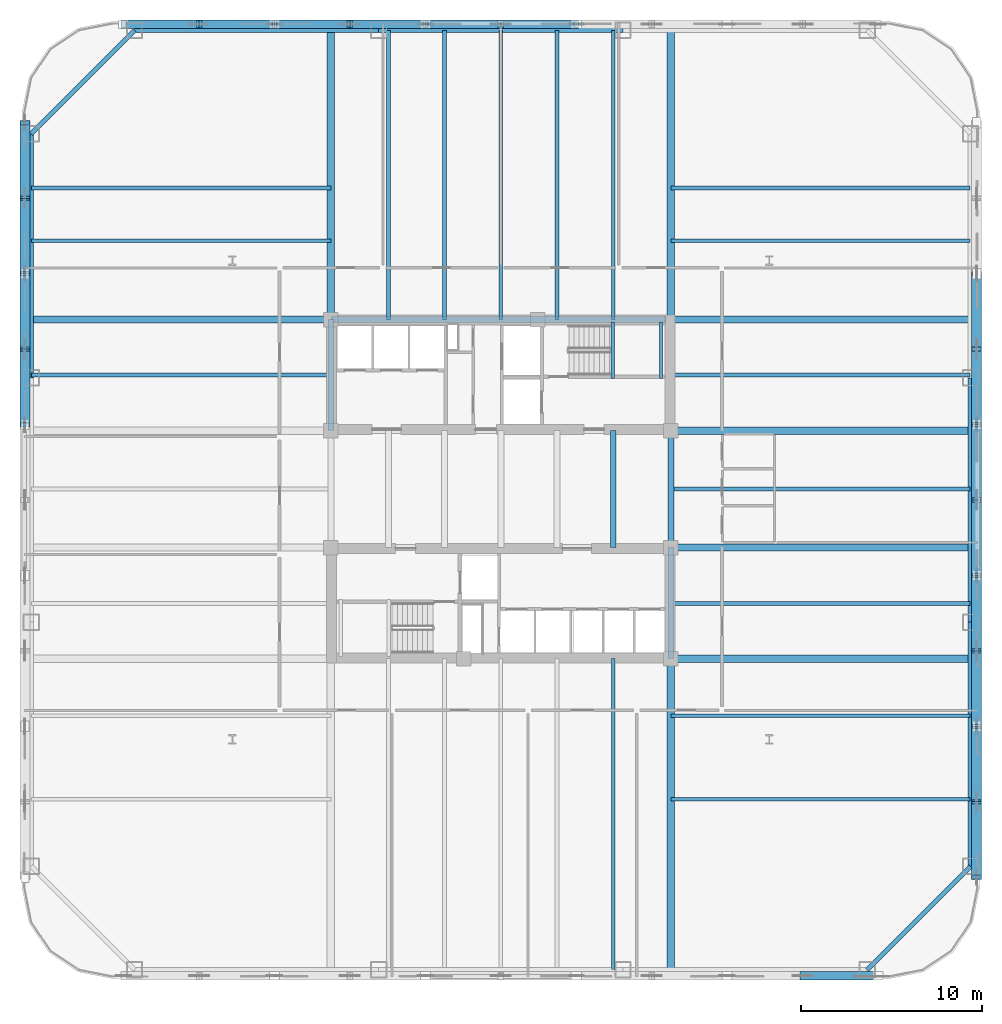
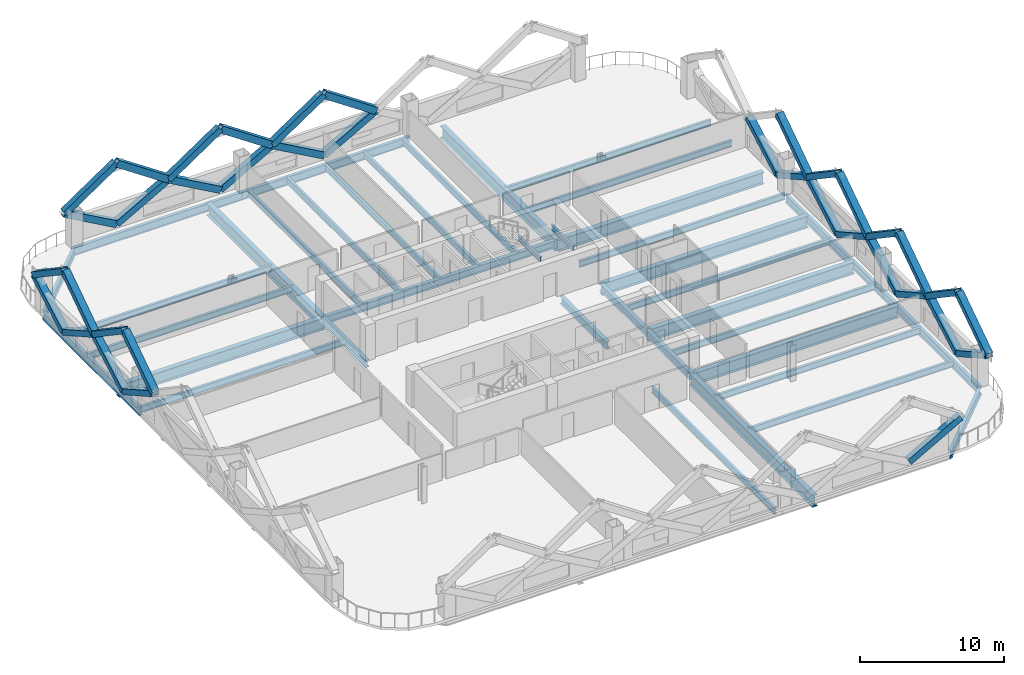
# One storey, part 2 of 13: 38 beams, 36 members.
"""IFC4 building model written with IfcOpenShell, lengths in metres."""

from ifc_helpers import new_model, si_unit, direction, frame, origin, origin_2d, place, context, subcontext, project, spatial, hollow_rectangle, i_section, extrude, material, material_profile, profile_set, type_object, element, save


model = new_model("IFC4")

# Units and contexts
model_context = context("Model", 3, precision=1e-05, world=origin(), true_north=direction((0.0, 1.0)))
body_context = subcontext(model_context, "Body", "Model", "MODEL_VIEW")
ifc_project = project(units=[si_unit("LENGTHUNIT", "METRE"), si_unit("AREAUNIT", "SQUARE_METRE"), si_unit("VOLUMEUNIT", "CUBIC_METRE"), si_unit("PLANEANGLEUNIT", "RADIAN"), si_unit("MASSUNIT", "GRAM", prefix="KILO")], contexts=[model_context])

# Site, building, storey
site_placement = place(None, origin())
site = spatial("IfcSite", under=ifc_project, at=site_placement, CompositionType="ELEMENT")
building_placement = place(site_placement, origin())
building = spatial("IfcBuilding", under=site, at=building_placement, Name="Qhalaya Broadcast Tower", CompositionType="ELEMENT")
storey_placement = place(building_placement, frame((0.0, 0.0, 44.39990234375)))
storey = spatial("IfcBuildingStorey", under=building, at=storey_placement, Name="L12", CompositionType="ELEMENT", Elevation=44.39990234375)

# Beams
ifc_material_1 = material(Name="Structural Steel ASTM A992 Grade 50", Category="steel")
ifc_material_profile_1 = material_profile(ifc_material_1, i_section(OverallWidth=0.2099609375, OverallDepth=0.535888671875, WebThickness=0.010986328125, FlangeThickness=0.017333984375, at=origin_2d()), Name="W21X68")
ifc_profile_set_1 = profile_set([ifc_material_profile_1], Name="Structural Steel ASTM A992 Grade 50")
beam_type_1 = type_object("IfcBeamType", Name="Composite Floor Joist J02", PredefinedType="JOIST", material=ifc_profile_set_1)
for number, where, z_axis, x_axis, name in (
    (1, (-6.199951171875, 9.949951171875, -0.48779296875), (0.0, 1.0, 0.0), (-1.0, 0.0, 0.0), "L12 J02 L12-JNN1-1"),
    (2, (-3.10009765625, 9.949951171875, -0.48779296875), (0.0, 1.0, 0.0), (-1.0, 0.0, 0.0), "L12 J02 L12-JNN2-1"),
    (3, (0.0, 9.949951171875, -0.48779296875), (0.0, 1.0, 0.0), (-1.0, 0.0, 0.0), "L12 J02 L12-JNN3-1"),
    (4, (3.10009765625, 9.949951171875, -0.48779296875), (0.0, 1.0, 0.0), (-1.0, 0.0, 0.0), "L12 J02 L12-JNN4-1"),
):
    element("IfcBeam", number, at=place(storey_placement, frame(where, z_axis=z_axis, x_axis=x_axis)), inside=storey, type_object=beam_type_1, Name=name, PredefinedType="JOIST", context=body_context, shape_type="SweptSolid", body=[
        extrude(i_section(OverallWidth=0.2099609375, OverallDepth=0.535888671875, WebThickness=0.010986328125, FlangeThickness=0.017333984375, at=origin_2d()), origin(), (0.0, 0.0, 1.0), 15.929931640625),
    ])
beam_1_placement = place(storey_placement, frame((6.199951171875, -25.8798828125, -0.48779296875), z_axis=(0.0, 1.0, 0.0), x_axis=(-1.0, 0.0, 0.0)))
element("IfcBeam", 5, at=beam_1_placement, inside=storey, type_object=beam_type_1, Name="L12 J02 L12-JNS5-1", PredefinedType="JOIST", context=body_context, shape_type="SweptSolid", body=[
    extrude(i_section(OverallWidth=0.2099609375, OverallDepth=0.535888671875, WebThickness=0.010986328125, FlangeThickness=0.017333984375, at=origin_2d()), origin(), (0.0, 0.0, 1.0), 17.1298828125),
])
beam_2_placement = place(storey_placement, frame((6.199951171875, 9.949951171875, -0.48779296875), z_axis=(0.0, 1.0, 0.0), x_axis=(-1.0, 0.0, 0.0)))
element("IfcBeam", 6, at=beam_2_placement, inside=storey, type_object=beam_type_1, Name="L12 J02 L12-JNN5-1", PredefinedType="JOIST", context=body_context, shape_type="SweptSolid", body=[
    extrude(i_section(OverallWidth=0.2099609375, OverallDepth=0.535888671875, WebThickness=0.010986328125, FlangeThickness=0.017333984375, at=origin_2d()), origin(), (0.0, 0.0, 1.0), 15.929931640625),
])
for number, where, z_axis, x_axis, name in (
    (7, (9.375, -16.5, -0.48779296875), (1.0, 0.0, 0.0), (0.0, 1.0, 0.0), "L12 J02 L12-JWE1E-1"),
    (8, (9.375, -11.89990234375, -0.48779296875), (1.0, 0.0, 0.0), (0.0, 1.0, 0.0), "L12 J02 L12-JWE2E-1"),
    (9, (9.375, -5.699951171875, -0.48779296875), (1.0, 0.0, 0.0), (0.0, 1.0, 0.0), "L12 J02 L12-JWE3E-1"),
    (10, (9.375, 0.60009765625, -0.48779296875), (1.0, 0.0, 0.0), (0.0, 1.0, 0.0), "L12 J02 L12-JWE4E-1"),
    (11, (-25.8798828125, 6.89990234375, -0.48779296875), (1.0, 0.0, 0.0), (0.0, 1.0, 0.0), "L12 J02 L12-JWE5W-1"),
    (12, (9.375, 6.89990234375, -0.48779296875), (1.0, 0.0, 0.0), (0.0, 1.0, 0.0), "L12 J02 L12-JWE5E-1"),
    (13, (-25.8798828125, 14.300048828125, -0.48779296875), (1.0, 0.0, 0.0), (0.0, 1.0, 0.0), "L12 J02 L12-JWE6W-1"),
    (14, (9.375, 14.300048828125, -0.48779296875), (1.0, 0.0, 0.0), (0.0, 1.0, 0.0), "L12 J02 L12-JWE6E-1"),
    (15, (-25.8798828125, 17.199951171875, -0.48779296875), (1.0, 0.0, 0.0), (0.0, 1.0, 0.0), "L12 J02 L12-JWE7W-1"),
    (16, (9.375, 17.199951171875, -0.48779296875), (1.0, 0.0, 0.0), (0.0, 1.0, 0.0), "L12 J02 L12-JWE7E-1"),
):
    element("IfcBeam", number, at=place(storey_placement, frame(where, z_axis=z_axis, x_axis=x_axis)), inside=storey, type_object=beam_type_1, Name=name, PredefinedType="JOIST", context=body_context, shape_type="SweptSolid", body=[
        extrude(i_section(OverallWidth=0.2099609375, OverallDepth=0.535888671875, WebThickness=0.010986328125, FlangeThickness=0.017333984375, at=origin_2d()), origin(), (0.0, 0.0, 1.0), 16.5048828125),
    ])
ifc_material_profile_2 = material_profile(ifc_material_1, i_section(OverallWidth=0.323974609375, OverallDepth=0.612060546875, WebThickness=0.0126953125, FlangeThickness=0.01904296875, at=origin_2d()), Name="W24X104")
ifc_profile_set_2 = profile_set([ifc_material_profile_2], Name="Structural Steel ASTM A992 Grade 50")
beam_type_2 = type_object("IfcBeamType", Name="Core Frame Tie Beam B04", PredefinedType="BEAM", material=ifc_profile_set_2)
beam_3_placement = place(storey_placement, frame((-9.375, 3.824951171875, -0.52587890625), z_axis=(0.0, 1.0, 0.0), x_axis=(-1.0, 0.0, 0.0)))
element("IfcBeam", 17, at=beam_3_placement, inside=storey, type_object=beam_type_2, Name="L12 B04 L12-CCN2", PredefinedType="BEAM", context=body_context, shape_type="SweptSolid", body=[
    extrude(i_section(OverallWidth=0.323974609375, OverallDepth=0.612060546875, WebThickness=0.0126953125, FlangeThickness=0.01904296875, at=origin_2d()), origin(), (0.0, 0.0, 1.0), 6.125),
])
beam_4_placement = place(storey_placement, frame((-9.375, 9.949951171875, -0.52587890625), z_axis=(1.0, 0.0, 0.0), x_axis=(0.0, 1.0, 0.0)))
element("IfcBeam", 18, at=beam_4_placement, inside=storey, type_object=beam_type_2, Name="L12 B04 L12-CCN3", PredefinedType="BEAM", context=body_context, shape_type="SweptSolid", body=[
    extrude(i_section(OverallWidth=0.323974609375, OverallDepth=0.612060546875, WebThickness=0.0126953125, FlangeThickness=0.01904296875, at=origin_2d()), origin(), (0.0, 0.0, 1.0), 18.4951171875),
])
beam_5_placement = place(storey_placement, frame((9.375, -8.75, -0.52587890625), z_axis=(0.0, 1.0, 0.0), x_axis=(-1.0, 0.0, 0.0)))
element("IfcBeam", 19, at=beam_5_placement, inside=storey, type_object=beam_type_2, Name="L12 B04 L12-CCS2", PredefinedType="BEAM", context=body_context, shape_type="SweptSolid", body=[
    extrude(i_section(OverallWidth=0.323974609375, OverallDepth=0.612060546875, WebThickness=0.0126953125, FlangeThickness=0.01904296875, at=origin_2d()), origin(), (0.0, 0.0, 1.0), 6.125),
])
for number, where, z_axis, x_axis, name in (
    (20, (9.375, -2.625, -0.52587890625), (0.0, 1.0, 0.0), (-1.0, 0.0, 0.0), "L12 B04 L12-CCE"),
    (21, (6.199951171875, -2.625, -0.52587890625), (0.0, 1.0, 0.0), (-1.0, 0.0, 0.0), "L12 B04 L12-JC5-1"),
):
    element("IfcBeam", number, at=place(storey_placement, frame(where, z_axis=z_axis, x_axis=x_axis)), inside=storey, type_object=beam_type_2, Name=name, PredefinedType="BEAM", context=body_context, shape_type="SweptSolid", body=[
        extrude(i_section(OverallWidth=0.323974609375, OverallDepth=0.612060546875, WebThickness=0.0126953125, FlangeThickness=0.01904296875, at=origin_2d()), origin(), (0.0, 0.0, 1.0), 6.449951171875),
    ])

# Members
ifc_material_2 = material(Name="Structural Steel ASTM A572 Grade 50", Category="steel")
ifc_material_profile_3 = material_profile(ifc_material_2, hollow_rectangle(XDim=0.449951171875, YDim=0.550048828125, WallThickness=0.031982421875, at=origin_2d()), Name="BOX 450x550x32")
ifc_profile_set_3 = profile_set([ifc_material_profile_3], Name="Structural Steel ASTM A572 Grade 50")
member_type = type_object("IfcMemberType", Name="Exoskeleton Diamond Diagonal Lower EX1", PredefinedType="BRACE", material=ifc_profile_set_3)
for number, where, z_axis, x_axis, name in (
    (22, (16.639892578125, -26.239990234375, 0.360107421875), (0.872471089532, 0.0, 0.488665732306), (0.0, 1.0, 0.0), "B1 Exoskeleton Diamond Brace S5-D2"),
    (23, (26.239990234375, -16.639892578125, 0.360107421875), (0.0, -0.872471089532, 0.488665732306), (0.0, 0.488665732306, 0.872471089532), "B1 Exoskeleton Diamond Brace E1-D1"),
):
    element("IfcMember", number, at=place(storey_placement, frame(where, z_axis=z_axis, x_axis=x_axis)), inside=storey, type_object=member_type, Name=name, PredefinedType="BRACE", context=body_context, shape_type="SweptSolid", body=[
        extrude(hollow_rectangle(XDim=0.449951171875, YDim=0.550048828125, WallThickness=0.031982421875, at=origin_2d()), origin(), (0.0, 0.0, 1.0), 4.768310546875),
    ])
member_1_placement = place(storey_placement, frame((26.239990234375, -16.639892578125, 0.360107421875), z_axis=(0.0, 0.872458862126, 0.488687562658), x_axis=(0.0, -0.488687562658, 0.872458862126)))
element("IfcMember", 24, at=member_1_placement, inside=storey, type_object=member_type, Name="B1 Exoskeleton Diamond Brace E1-D2", PredefinedType="BRACE", context=body_context, shape_type="SweptSolid", body=[
    extrude(hollow_rectangle(XDim=0.449951171875, YDim=0.550048828125, WallThickness=0.031982421875, at=origin_2d()), origin(), (0.0, 0.0, 1.0), 4.76806640625),
])
member_2_placement = place(storey_placement, frame((26.239990234375, -20.800048828125, 2.690185546875), z_axis=(0.0, 0.828690779946, 0.559706701079), x_axis=(0.0, -0.559706701079, 0.828690779946)))
element("IfcMember", 25, at=member_2_placement, inside=storey, type_object=member_type, Name="B1 Exoskeleton Diamond Brace E1-D3", PredefinedType="BRACE", context=body_context, shape_type="SweptSolid", body=[
    extrude(hollow_rectangle(XDim=0.449951171875, YDim=0.550048828125, WallThickness=0.031982421875, at=origin_2d()), origin(), (0.0, 0.0, 1.0), 5.020263671875),
])
member_3_placement = place(storey_placement, frame((26.239990234375, -12.47998046875, 2.690185546875), z_axis=(0.0, -0.828675543973, 0.5597292585), x_axis=(0.0, 0.5597292585, 0.828675543973)))
element("IfcMember", 26, at=member_3_placement, inside=storey, type_object=member_type, Name="B1 Exoskeleton Diamond Brace E1-D4", PredefinedType="BRACE", context=body_context, shape_type="SweptSolid", body=[
    extrude(hollow_rectangle(XDim=0.449951171875, YDim=0.550048828125, WallThickness=0.031982421875, at=origin_2d()), origin(), (0.0, 0.0, 1.0), 5.02001953125),
])
member_4_placement = place(storey_placement, frame((26.239990234375, -8.320068359375, 0.360107421875), z_axis=(0.0, -0.872458862126, 0.488687562658), x_axis=(0.0, 0.488687562658, 0.872458862126)))
element("IfcMember", 27, at=member_4_placement, inside=storey, type_object=member_type, Name="B1 Exoskeleton Diamond Brace E2-D1", PredefinedType="BRACE", context=body_context, shape_type="SweptSolid", body=[
    extrude(hollow_rectangle(XDim=0.449951171875, YDim=0.550048828125, WallThickness=0.031982421875, at=origin_2d()), origin(), (0.0, 0.0, 1.0), 4.76806640625),
])
member_5_placement = place(storey_placement, frame((26.239990234375, -8.320068359375, 0.360107421875), z_axis=(0.0, 0.872471089532, 0.488665732306), x_axis=(0.0, -0.488665732306, 0.872471089532)))
element("IfcMember", 28, at=member_5_placement, inside=storey, type_object=member_type, Name="B1 Exoskeleton Diamond Brace E2-D2", PredefinedType="BRACE", context=body_context, shape_type="SweptSolid", body=[
    extrude(hollow_rectangle(XDim=0.449951171875, YDim=0.550048828125, WallThickness=0.031982421875, at=origin_2d()), origin(), (0.0, 0.0, 1.0), 4.768310546875),
])
member_6_placement = place(storey_placement, frame((26.239990234375, -12.47998046875, 2.690185546875), z_axis=(0.0, 0.828675543973, 0.5597292585), x_axis=(0.0, -0.5597292585, 0.828675543973)))
element("IfcMember", 29, at=member_6_placement, inside=storey, type_object=member_type, Name="B1 Exoskeleton Diamond Brace E2-D3", PredefinedType="BRACE", context=body_context, shape_type="SweptSolid", body=[
    extrude(hollow_rectangle(XDim=0.449951171875, YDim=0.550048828125, WallThickness=0.031982421875, at=origin_2d()), origin(), (0.0, 0.0, 1.0), 5.02001953125),
])
member_7_placement = place(storey_placement, frame((26.239990234375, -4.159912109375, 2.690185546875), z_axis=(0.0, -0.828690779946, 0.559706701079), x_axis=(0.0, 0.559706701079, 0.828690779946)))
element("IfcMember", 30, at=member_7_placement, inside=storey, type_object=member_type, Name="B1 Exoskeleton Diamond Brace E2-D4", PredefinedType="BRACE", context=body_context, shape_type="SweptSolid", body=[
    extrude(hollow_rectangle(XDim=0.449951171875, YDim=0.550048828125, WallThickness=0.031982421875, at=origin_2d()), origin(), (0.0, 0.0, 1.0), 5.020263671875),
])
for number, where, z_axis, x_axis, name in (
    (31, (26.239990234375, 0.0, 0.360107421875), (0.0, -0.872458862126, 0.488687562658), (0.0, 0.488687562658, 0.872458862126), "B1 Exoskeleton Diamond Brace E3-D1"),
    (32, (26.239990234375, 0.0, 0.360107421875), (0.0, 0.872458862126, 0.488687562658), (0.0, -0.488687562658, 0.872458862126), "B1 Exoskeleton Diamond Brace E3-D2"),
):
    element("IfcMember", number, at=place(storey_placement, frame(where, z_axis=z_axis, x_axis=x_axis)), inside=storey, type_object=member_type, Name=name, PredefinedType="BRACE", context=body_context, shape_type="SweptSolid", body=[
        extrude(hollow_rectangle(XDim=0.449951171875, YDim=0.550048828125, WallThickness=0.031982421875, at=origin_2d()), origin(), (0.0, 0.0, 1.0), 4.76806640625),
    ])
for number, where, z_axis, x_axis, name in (
    (33, (26.239990234375, -4.159912109375, 2.690185546875), (0.0, 0.828675543973, 0.5597292585), (0.0, -0.5597292585, 0.828675543973), "B1 Exoskeleton Diamond Brace E3-D3"),
    (34, (26.239990234375, 4.159912109375, 2.690185546875), (0.0, -0.828675543973, 0.5597292585), (0.0, 0.5597292585, 0.828675543973), "B1 Exoskeleton Diamond Brace E3-D4"),
):
    element("IfcMember", number, at=place(storey_placement, frame(where, z_axis=z_axis, x_axis=x_axis)), inside=storey, type_object=member_type, Name=name, PredefinedType="BRACE", context=body_context, shape_type="SweptSolid", body=[
        extrude(hollow_rectangle(XDim=0.449951171875, YDim=0.550048828125, WallThickness=0.031982421875, at=origin_2d()), origin(), (0.0, 0.0, 1.0), 5.02001953125),
    ])
member_8_placement = place(storey_placement, frame((26.239990234375, 8.320068359375, 0.360107421875), z_axis=(0.0, -0.872471089532, 0.488665732306), x_axis=(0.0, 0.488665732306, 0.872471089532)))
element("IfcMember", 35, at=member_8_placement, inside=storey, type_object=member_type, Name="B1 Exoskeleton Diamond Brace E4-D1", PredefinedType="BRACE", context=body_context, shape_type="SweptSolid", body=[
    extrude(hollow_rectangle(XDim=0.449951171875, YDim=0.550048828125, WallThickness=0.031982421875, at=origin_2d()), origin(), (0.0, 0.0, 1.0), 4.768310546875),
])
member_9_placement = place(storey_placement, frame((26.239990234375, 8.320068359375, 0.360107421875), z_axis=(0.0, 0.872458862126, 0.488687562658), x_axis=(0.0, -0.488687562658, 0.872458862126)))
element("IfcMember", 36, at=member_9_placement, inside=storey, type_object=member_type, Name="B1 Exoskeleton Diamond Brace E4-D2", PredefinedType="BRACE", context=body_context, shape_type="SweptSolid", body=[
    extrude(hollow_rectangle(XDim=0.449951171875, YDim=0.550048828125, WallThickness=0.031982421875, at=origin_2d()), origin(), (0.0, 0.0, 1.0), 4.76806640625),
])
member_10_placement = place(storey_placement, frame((26.239990234375, 4.159912109375, 2.690185546875), z_axis=(0.0, 0.828690779946, 0.559706701079), x_axis=(0.0, -0.559706701079, 0.828690779946)))
element("IfcMember", 37, at=member_10_placement, inside=storey, type_object=member_type, Name="B1 Exoskeleton Diamond Brace E4-D3", PredefinedType="BRACE", context=body_context, shape_type="SweptSolid", body=[
    extrude(hollow_rectangle(XDim=0.449951171875, YDim=0.550048828125, WallThickness=0.031982421875, at=origin_2d()), origin(), (0.0, 0.0, 1.0), 5.020263671875),
])
for number, where, z_axis, x_axis, name in (
    (38, (0.0, 26.239990234375, 0.360107421875), (0.872458862126, 0.0, 0.488687562658), (0.0, 1.0, 0.0), "B1 Exoskeleton Diamond Brace N3-D1"),
    (39, (0.0, 26.239990234375, 0.360107421875), (-0.872458862126, 0.0, 0.488687562658), (0.0, -1.0, 0.0), "B1 Exoskeleton Diamond Brace N3-D2"),
):
    element("IfcMember", number, at=place(storey_placement, frame(where, z_axis=z_axis, x_axis=x_axis)), inside=storey, type_object=member_type, Name=name, PredefinedType="BRACE", context=body_context, shape_type="SweptSolid", body=[
        extrude(hollow_rectangle(XDim=0.449951171875, YDim=0.550048828125, WallThickness=0.031982421875, at=origin_2d()), origin(), (0.0, 0.0, 1.0), 4.76806640625),
    ])
for number, where, z_axis, x_axis, name in (
    (40, (4.159912109375, 26.239990234375, 2.690185546875), (-0.828675543973, 0.0, 0.5597292585), (0.0, -1.0, 0.0), "B1 Exoskeleton Diamond Brace N3-D3"),
    (41, (-4.159912109375, 26.239990234375, 2.690185546875), (0.828675543973, 0.0, 0.5597292585), (0.0, 1.0, 0.0), "B1 Exoskeleton Diamond Brace N3-D4"),
):
    element("IfcMember", number, at=place(storey_placement, frame(where, z_axis=z_axis, x_axis=x_axis)), inside=storey, type_object=member_type, Name=name, PredefinedType="BRACE", context=body_context, shape_type="SweptSolid", body=[
        extrude(hollow_rectangle(XDim=0.449951171875, YDim=0.550048828125, WallThickness=0.031982421875, at=origin_2d()), origin(), (0.0, 0.0, 1.0), 5.02001953125),
    ])
member_11_placement = place(storey_placement, frame((-8.320068359375, 26.239990234375, 0.360107421875), z_axis=(0.872471089532, 0.0, 0.488665732306), x_axis=(0.0, 1.0, 0.0)))
element("IfcMember", 42, at=member_11_placement, inside=storey, type_object=member_type, Name="B1 Exoskeleton Diamond Brace N4-D1", PredefinedType="BRACE", context=body_context, shape_type="SweptSolid", body=[
    extrude(hollow_rectangle(XDim=0.449951171875, YDim=0.550048828125, WallThickness=0.031982421875, at=origin_2d()), origin(), (0.0, 0.0, 1.0), 4.768310546875),
])
member_12_placement = place(storey_placement, frame((-8.320068359375, 26.239990234375, 0.360107421875), z_axis=(-0.872458862126, 0.0, 0.488687562658), x_axis=(0.0, -1.0, 0.0)))
element("IfcMember", 43, at=member_12_placement, inside=storey, type_object=member_type, Name="B1 Exoskeleton Diamond Brace N4-D2", PredefinedType="BRACE", context=body_context, shape_type="SweptSolid", body=[
    extrude(hollow_rectangle(XDim=0.449951171875, YDim=0.550048828125, WallThickness=0.031982421875, at=origin_2d()), origin(), (0.0, 0.0, 1.0), 4.76806640625),
])
member_13_placement = place(storey_placement, frame((-4.159912109375, 26.239990234375, 2.690185546875), z_axis=(-0.828690779946, 0.0, 0.559706701079), x_axis=(0.0, -1.0, 0.0)))
element("IfcMember", 44, at=member_13_placement, inside=storey, type_object=member_type, Name="B1 Exoskeleton Diamond Brace N4-D3", PredefinedType="BRACE", context=body_context, shape_type="SweptSolid", body=[
    extrude(hollow_rectangle(XDim=0.449951171875, YDim=0.550048828125, WallThickness=0.031982421875, at=origin_2d()), origin(), (0.0, 0.0, 1.0), 5.020263671875),
])
member_14_placement = place(storey_placement, frame((-12.47998046875, 26.239990234375, 2.690185546875), z_axis=(0.828675543973, 0.0, 0.5597292585), x_axis=(0.0, 1.0, 0.0)))
element("IfcMember", 45, at=member_14_placement, inside=storey, type_object=member_type, Name="B1 Exoskeleton Diamond Brace N4-D4", PredefinedType="BRACE", context=body_context, shape_type="SweptSolid", body=[
    extrude(hollow_rectangle(XDim=0.449951171875, YDim=0.550048828125, WallThickness=0.031982421875, at=origin_2d()), origin(), (0.0, 0.0, 1.0), 5.02001953125),
])
member_15_placement = place(storey_placement, frame((-16.639892578125, 26.239990234375, 0.360107421875), z_axis=(0.872458862126, 0.0, 0.488687562658), x_axis=(0.0, 1.0, 0.0)))
element("IfcMember", 46, at=member_15_placement, inside=storey, type_object=member_type, Name="B1 Exoskeleton Diamond Brace N5-D1", PredefinedType="BRACE", context=body_context, shape_type="SweptSolid", body=[
    extrude(hollow_rectangle(XDim=0.449951171875, YDim=0.550048828125, WallThickness=0.031982421875, at=origin_2d()), origin(), (0.0, 0.0, 1.0), 4.76806640625),
])
member_16_placement = place(storey_placement, frame((-16.639892578125, 26.239990234375, 0.360107421875), z_axis=(-0.872471089532, 0.0, 0.488665732306), x_axis=(0.0, -1.0, 0.0)))
element("IfcMember", 47, at=member_16_placement, inside=storey, type_object=member_type, Name="B1 Exoskeleton Diamond Brace N5-D2", PredefinedType="BRACE", context=body_context, shape_type="SweptSolid", body=[
    extrude(hollow_rectangle(XDim=0.449951171875, YDim=0.550048828125, WallThickness=0.031982421875, at=origin_2d()), origin(), (0.0, 0.0, 1.0), 4.768310546875),
])
member_17_placement = place(storey_placement, frame((-12.47998046875, 26.239990234375, 2.690185546875), z_axis=(-0.828675543973, 0.0, 0.5597292585), x_axis=(0.0, -1.0, 0.0)))
element("IfcMember", 48, at=member_17_placement, inside=storey, type_object=member_type, Name="B1 Exoskeleton Diamond Brace N5-D3", PredefinedType="BRACE", context=body_context, shape_type="SweptSolid", body=[
    extrude(hollow_rectangle(XDim=0.449951171875, YDim=0.550048828125, WallThickness=0.031982421875, at=origin_2d()), origin(), (0.0, 0.0, 1.0), 5.02001953125),
])
member_18_placement = place(storey_placement, frame((-20.800048828125, 26.239990234375, 2.690185546875), z_axis=(0.828690779946, 0.0, 0.559706701079), x_axis=(0.0, 1.0, 0.0)))
element("IfcMember", 49, at=member_18_placement, inside=storey, type_object=member_type, Name="B1 Exoskeleton Diamond Brace N5-D4", PredefinedType="BRACE", context=body_context, shape_type="SweptSolid", body=[
    extrude(hollow_rectangle(XDim=0.449951171875, YDim=0.550048828125, WallThickness=0.031982421875, at=origin_2d()), origin(), (0.0, 0.0, 1.0), 5.020263671875),
])
member_19_placement = place(storey_placement, frame((-26.239990234375, 16.639892578125, 0.360107421875), z_axis=(0.0, 0.872471089532, 0.488665732306), x_axis=(0.0, -0.488665732306, 0.872471089532)))
element("IfcMember", 50, at=member_19_placement, inside=storey, type_object=member_type, Name="B1 Exoskeleton Diamond Brace W1-D1", PredefinedType="BRACE", context=body_context, shape_type="SweptSolid", body=[
    extrude(hollow_rectangle(XDim=0.449951171875, YDim=0.550048828125, WallThickness=0.031982421875, at=origin_2d()), origin(), (0.0, 0.0, 1.0), 4.768310546875),
])
member_20_placement = place(storey_placement, frame((-26.239990234375, 16.639892578125, 0.360107421875), z_axis=(0.0, -0.872458862126, 0.488687562658), x_axis=(0.0, 0.488687562658, 0.872458862126)))
element("IfcMember", 51, at=member_20_placement, inside=storey, type_object=member_type, Name="B1 Exoskeleton Diamond Brace W1-D2", PredefinedType="BRACE", context=body_context, shape_type="SweptSolid", body=[
    extrude(hollow_rectangle(XDim=0.449951171875, YDim=0.550048828125, WallThickness=0.031982421875, at=origin_2d()), origin(), (0.0, 0.0, 1.0), 4.76806640625),
])
member_21_placement = place(storey_placement, frame((-26.239990234375, 20.800048828125, 2.690185546875), z_axis=(0.0, -0.828690779946, 0.559706701079), x_axis=(0.0, 0.559706701079, 0.828690779946)))
element("IfcMember", 52, at=member_21_placement, inside=storey, type_object=member_type, Name="B1 Exoskeleton Diamond Brace W1-D3", PredefinedType="BRACE", context=body_context, shape_type="SweptSolid", body=[
    extrude(hollow_rectangle(XDim=0.449951171875, YDim=0.550048828125, WallThickness=0.031982421875, at=origin_2d()), origin(), (0.0, 0.0, 1.0), 5.020263671875),
])
member_22_placement = place(storey_placement, frame((-26.239990234375, 12.47998046875, 2.690185546875), z_axis=(0.0, 0.828675543973, 0.5597292585), x_axis=(0.0, -0.5597292585, 0.828675543973)))
element("IfcMember", 53, at=member_22_placement, inside=storey, type_object=member_type, Name="B1 Exoskeleton Diamond Brace W1-D4", PredefinedType="BRACE", context=body_context, shape_type="SweptSolid", body=[
    extrude(hollow_rectangle(XDim=0.449951171875, YDim=0.550048828125, WallThickness=0.031982421875, at=origin_2d()), origin(), (0.0, 0.0, 1.0), 5.02001953125),
])
member_23_placement = place(storey_placement, frame((-26.239990234375, 8.320068359375, 0.360107421875), z_axis=(0.0, 0.872458862126, 0.488687562658), x_axis=(0.0, -0.488687562658, 0.872458862126)))
element("IfcMember", 54, at=member_23_placement, inside=storey, type_object=member_type, Name="B1 Exoskeleton Diamond Brace W2-D1", PredefinedType="BRACE", context=body_context, shape_type="SweptSolid", body=[
    extrude(hollow_rectangle(XDim=0.449951171875, YDim=0.550048828125, WallThickness=0.031982421875, at=origin_2d()), origin(), (0.0, 0.0, 1.0), 4.76806640625),
])
member_24_placement = place(storey_placement, frame((-26.239990234375, 8.320068359375, 0.360107421875), z_axis=(0.0, -0.872471089532, 0.488665732306), x_axis=(0.0, 0.488665732306, 0.872471089532)))
element("IfcMember", 55, at=member_24_placement, inside=storey, type_object=member_type, Name="B1 Exoskeleton Diamond Brace W2-D2", PredefinedType="BRACE", context=body_context, shape_type="SweptSolid", body=[
    extrude(hollow_rectangle(XDim=0.449951171875, YDim=0.550048828125, WallThickness=0.031982421875, at=origin_2d()), origin(), (0.0, 0.0, 1.0), 4.768310546875),
])
member_25_placement = place(storey_placement, frame((-26.239990234375, 12.47998046875, 2.690185546875), z_axis=(0.0, -0.828675543973, 0.5597292585), x_axis=(0.0, 0.5597292585, 0.828675543973)))
element("IfcMember", 56, at=member_25_placement, inside=storey, type_object=member_type, Name="B1 Exoskeleton Diamond Brace W2-D3", PredefinedType="BRACE", context=body_context, shape_type="SweptSolid", body=[
    extrude(hollow_rectangle(XDim=0.449951171875, YDim=0.550048828125, WallThickness=0.031982421875, at=origin_2d()), origin(), (0.0, 0.0, 1.0), 5.02001953125),
])
member_26_placement = place(storey_placement, frame((-26.239990234375, 4.159912109375, 2.690185546875), z_axis=(0.0, 0.828690779946, 0.559706701079), x_axis=(0.0, -0.559706701079, 0.828690779946)))
element("IfcMember", 57, at=member_26_placement, inside=storey, type_object=member_type, Name="B1 Exoskeleton Diamond Brace W2-D4", PredefinedType="BRACE", context=body_context, shape_type="SweptSolid", body=[
    extrude(hollow_rectangle(XDim=0.449951171875, YDim=0.550048828125, WallThickness=0.031982421875, at=origin_2d()), origin(), (0.0, 0.0, 1.0), 5.020263671875),
])

# Beams
ifc_material_profile_4 = material_profile(ifc_material_1, i_section(OverallWidth=0.40087890625, OverallDepth=1.010986328125, WebThickness=0.023681640625, FlangeThickness=0.0419921875, at=origin_2d()), Name="W40X297")
ifc_profile_set_4 = profile_set([ifc_material_profile_4], Name="Structural Steel ASTM A992 Grade 50")
beam_type_3 = type_object("IfcBeamType", Name="Lower Block Primary Girder PG2", PredefinedType="USERDEFINED", material=ifc_profile_set_4)
beam_6_placement = place(storey_placement, frame((-9.375, 9.949951171875, -0.725341796875), z_axis=(0.0, 1.0, 0.0), x_axis=(-1.0, 0.0, 0.0)))
element("IfcBeam", 58, at=beam_6_placement, inside=storey, type_object=beam_type_3, Name="L12 PG2 L12-PGXN1-1", ObjectType="GIRDER", PredefinedType="USERDEFINED", context=body_context, shape_type="SweptSolid", body=[
    extrude(i_section(OverallWidth=0.40087890625, OverallDepth=1.010986328125, WebThickness=0.023681640625, FlangeThickness=0.0419921875, at=origin_2d()), origin(), (0.0, 0.0, 1.0), 15.929931640625),
])
beam_7_placement = place(storey_placement, frame((9.375, -25.8798828125, -0.725341796875), z_axis=(0.0, 1.0, 0.0), x_axis=(-1.0, 0.0, 0.0)))
element("IfcBeam", 59, at=beam_7_placement, inside=storey, type_object=beam_type_3, Name="L12 PG2 L12-PGXS2-1", ObjectType="GIRDER", PredefinedType="USERDEFINED", context=body_context, shape_type="SweptSolid", body=[
    extrude(i_section(OverallWidth=0.40087890625, OverallDepth=1.010986328125, WebThickness=0.023681640625, FlangeThickness=0.0419921875, at=origin_2d()), origin(), (0.0, 0.0, 1.0), 17.1298828125),
])
beam_8_placement = place(storey_placement, frame((9.375, 9.949951171875, -0.725341796875), z_axis=(0.0, 1.0, 0.0), x_axis=(-1.0, 0.0, 0.0)))
element("IfcBeam", 60, at=beam_8_placement, inside=storey, type_object=beam_type_3, Name="L12 PG2 L12-PGXN2-1", ObjectType="GIRDER", PredefinedType="USERDEFINED", context=body_context, shape_type="SweptSolid", body=[
    extrude(i_section(OverallWidth=0.40087890625, OverallDepth=1.010986328125, WebThickness=0.023681640625, FlangeThickness=0.0419921875, at=origin_2d()), origin(), (0.0, 0.0, 1.0), 15.929931640625),
])
for number, where, z_axis, x_axis, name in (
    (61, (9.375, -8.75, -0.725341796875), (1.0, 0.0, 0.0), (0.0, 1.0, 0.0), "L12 PG2 L12-PGYE1-1"),
    (62, (9.375, -2.625, -0.725341796875), (1.0, 0.0, 0.0), (0.0, 1.0, 0.0), "L12 PG2 L12-PGYE2-1"),
    (63, (9.375, 3.824951171875, -0.725341796875), (1.0, 0.0, 0.0), (0.0, 1.0, 0.0), "L12 PG2 L12-PGYE3-1"),
    (64, (-25.8798828125, 9.949951171875, -0.725341796875), (1.0, 0.0, 0.0), (0.0, 1.0, 0.0), "L12 PG2 L12-PGYW4-1"),
    (65, (9.375, 9.949951171875, -0.725341796875), (1.0, 0.0, 0.0), (0.0, 1.0, 0.0), "L12 PG2 L12-PGYE4-1"),
):
    element("IfcBeam", number, at=place(storey_placement, frame(where, z_axis=z_axis, x_axis=x_axis)), inside=storey, type_object=beam_type_3, Name=name, ObjectType="GIRDER", PredefinedType="USERDEFINED", context=body_context, shape_type="SweptSolid", body=[
        extrude(i_section(OverallWidth=0.40087890625, OverallDepth=1.010986328125, WebThickness=0.023681640625, FlangeThickness=0.0419921875, at=origin_2d()), origin(), (0.0, 0.0, 1.0), 16.5048828125),
    ])
ifc_material_profile_5 = material_profile(ifc_material_1, i_section(OverallWidth=0.25390625, OverallDepth=0.68310546875, WebThickness=0.012451171875, FlangeThickness=0.01904296875, at=origin_2d()), Name="W27X94")
ifc_profile_set_5 = profile_set([ifc_material_profile_5], Name="Structural Steel ASTM A992 Grade 50")
beam_type_4 = type_object("IfcBeamType", Name="Perimeter Ring Spandrel Beam SP1", PredefinedType="SPANDREL", material=ifc_profile_set_5)
beam_9_placement = place(storey_placement, frame((20.199951171875, -25.89990234375, -0.5615234375), z_axis=(0.707106781187, 0.707106781187, 0.0), x_axis=(-0.707106781187, 0.707106781187, 0.0)))
element("IfcBeam", 66, at=beam_9_placement, inside=storey, type_object=beam_type_4, Name="L12 SP1 L12-SPR-04", PredefinedType="SPANDREL", context=body_context, shape_type="SweptSolid", body=[
    extrude(i_section(OverallWidth=0.25390625, OverallDepth=0.68310546875, WebThickness=0.012451171875, FlangeThickness=0.01904296875, at=origin_2d()), origin(), (0.0, 0.0, 1.0), 8.06103515625),
])
beam_10_placement = place(storey_placement, frame((25.89990234375, -20.199951171875, -0.5615234375), z_axis=(0.0, 1.0, 0.0), x_axis=(-1.0, 0.0, 0.0)))
element("IfcBeam", 67, at=beam_10_placement, inside=storey, type_object=beam_type_4, Name="L12 SP1 L12-SPR-05", PredefinedType="SPANDREL", context=body_context, shape_type="SweptSolid", body=[
    extrude(i_section(OverallWidth=0.25390625, OverallDepth=0.68310546875, WebThickness=0.012451171875, FlangeThickness=0.01904296875, at=origin_2d()), origin(), (0.0, 0.0, 1.0), 13.466552734375),
])
for number, where, z_axis, x_axis, name in (
    (68, (25.89990234375, -6.7333984375, -0.5615234375), (0.0, 1.0, 0.0), (-1.0, 0.0, 0.0), "L12 SP1 L12-SPR-06"),
    (69, (6.7333984375, 25.89990234375, -0.5615234375), (-1.0, 0.0, 0.0), (0.0, -1.0, 0.0), "L12 SP1 L12-SPR-10"),
):
    element("IfcBeam", number, at=place(storey_placement, frame(where, z_axis=z_axis, x_axis=x_axis)), inside=storey, type_object=beam_type_4, Name=name, PredefinedType="SPANDREL", context=body_context, shape_type="SweptSolid", body=[
        extrude(i_section(OverallWidth=0.25390625, OverallDepth=0.68310546875, WebThickness=0.012451171875, FlangeThickness=0.01904296875, at=origin_2d()), origin(), (0.0, 0.0, 1.0), 13.466796875),
    ])
beam_11_placement = place(storey_placement, frame((-6.7333984375, 25.89990234375, -0.5615234375), z_axis=(-1.0, 0.0, 0.0), x_axis=(0.0, -1.0, 0.0)))
element("IfcBeam", 70, at=beam_11_placement, inside=storey, type_object=beam_type_4, Name="L12 SP1 L12-SPR-11", PredefinedType="SPANDREL", context=body_context, shape_type="SweptSolid", body=[
    extrude(i_section(OverallWidth=0.25390625, OverallDepth=0.68310546875, WebThickness=0.012451171875, FlangeThickness=0.01904296875, at=origin_2d()), origin(), (0.0, 0.0, 1.0), 13.466552734375),
])
beam_12_placement = place(storey_placement, frame((-20.199951171875, 25.89990234375, -0.5615234375), z_axis=(-0.707106781187, -0.707106781187, 0.0), x_axis=(0.707106781187, -0.707106781187, 0.0)))
element("IfcBeam", 71, at=beam_12_placement, inside=storey, type_object=beam_type_4, Name="L12 SP1 L12-SPR-12", PredefinedType="SPANDREL", context=body_context, shape_type="SweptSolid", body=[
    extrude(i_section(OverallWidth=0.25390625, OverallDepth=0.68310546875, WebThickness=0.012451171875, FlangeThickness=0.01904296875, at=origin_2d()), origin(), (0.0, 0.0, 1.0), 8.06103515625),
])
beam_13_placement = place(storey_placement, frame((-25.89990234375, 20.199951171875, -0.5615234375), z_axis=(0.0, -1.0, 0.0), x_axis=(1.0, 0.0, 0.0)))
element("IfcBeam", 72, at=beam_13_placement, inside=storey, type_object=beam_type_4, Name="L12 SP1 L12-SPR-13", PredefinedType="SPANDREL", context=body_context, shape_type="SweptSolid", body=[
    extrude(i_section(OverallWidth=0.25390625, OverallDepth=0.68310546875, WebThickness=0.012451171875, FlangeThickness=0.01904296875, at=origin_2d()), origin(), (0.0, 0.0, 1.0), 13.466552734375),
])
ifc_material_profile_6 = material_profile(ifc_material_1, i_section(OverallWidth=0.177978515625, OverallDepth=0.406005859375, WebThickness=0.0078125, FlangeThickness=0.0126953125, at=origin_2d()), Name="W16X40")
ifc_profile_set_6 = profile_set([ifc_material_profile_6], Name="Structural Steel ASTM A992 Grade 50")
beam_type_5 = type_object("IfcBeamType", Name="Upper Perimeter Spandrel Beam SP2", PredefinedType="SPANDREL", material=ifc_profile_set_6)
for number, where, z_axis, x_axis, name in (
    (73, (6.175048828125, 6.699951171875, 1.1220703125), (0.0, 1.0, 0.0), (-1.0, 0.0, 0.0), "L12 ST-1 Half-Landing Bearer Beam 1"),
    (74, (8.830078125, 6.699951171875, 1.1220703125), (0.0, 1.0, 0.0), (-1.0, 0.0, 0.0), "L12 ST-1 Half-Landing Bearer Beam 2"),
):
    element("IfcBeam", number, at=place(storey_placement, frame(where, z_axis=z_axis, x_axis=x_axis)), inside=storey, type_object=beam_type_5, Name=name, PredefinedType="SPANDREL", context=body_context, shape_type="SweptSolid", body=[
        extrude(i_section(OverallWidth=0.177978515625, OverallDepth=0.406005859375, WebThickness=0.0078125, FlangeThickness=0.0126953125, at=origin_2d()), origin(), (0.0, 0.0, 1.0), 3.1201171875),
    ])

save(model, "model.ifc")
